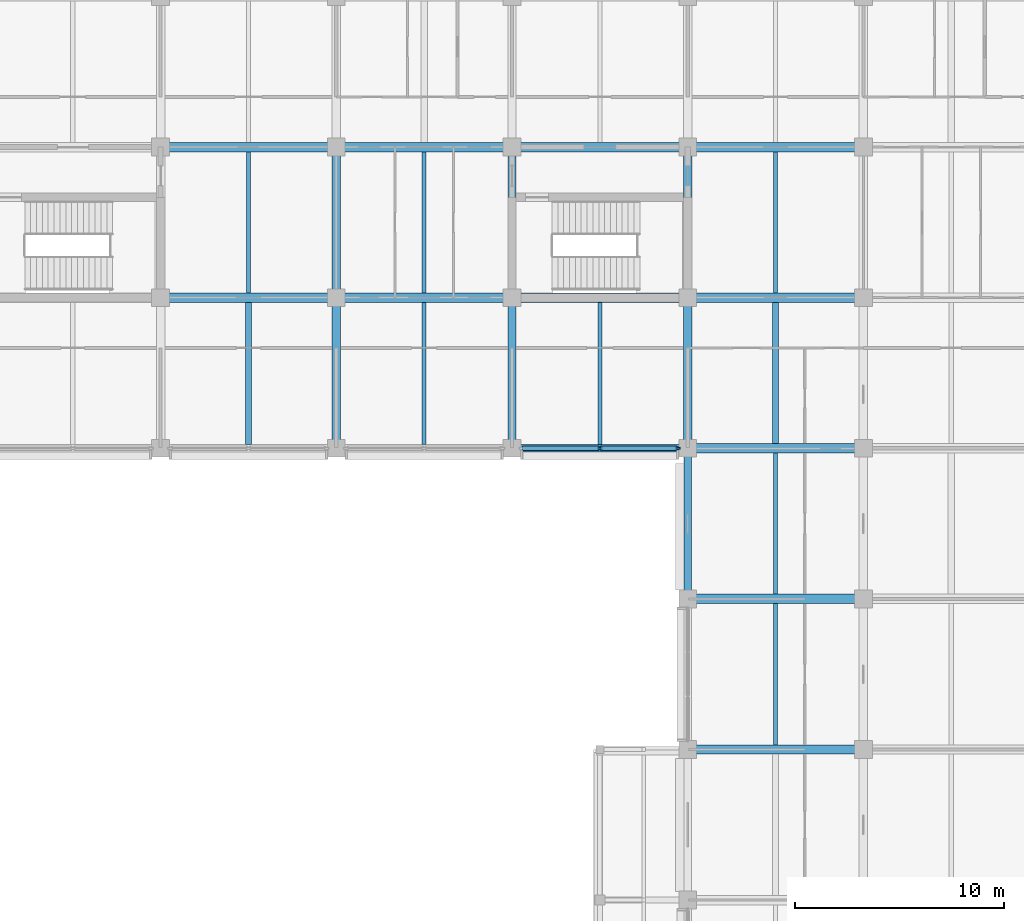
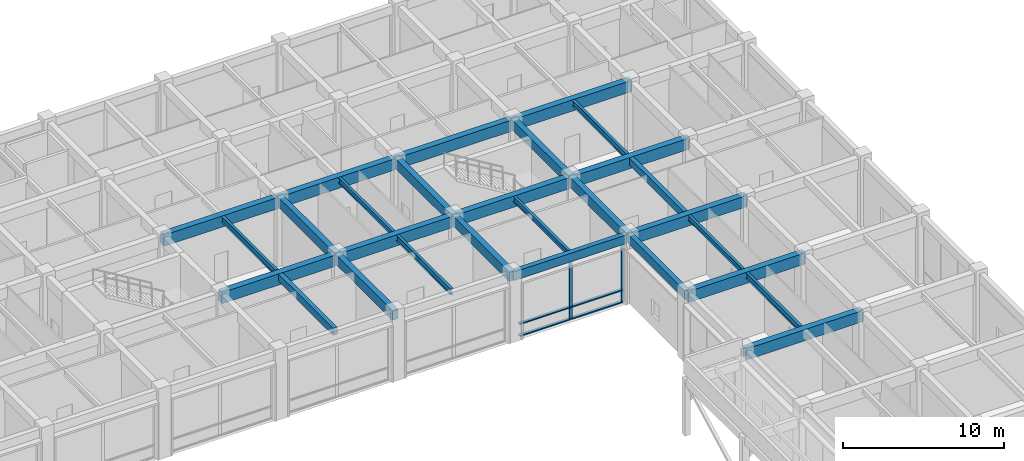
# One storey, part 26 of 68: 28 beams, 8 members, 1 element without a shape of its own.
"""IFC4 building model written with IfcOpenShell, lengths in metres."""

from ifc_helpers import new_model, si_unit, direction, frame, origin, origin_2d, place, context, subcontext, project, spatial, rectangle, i_section, extrude, material, layer, layer_set, material_profile, profile_set, type_object, element, aggregate, save


model = new_model("IFC4")

# Units and contexts
model_context = context("Model", 3, precision=1e-05, world=origin(), true_north=direction((0.0, 1.0)))
body_context = subcontext(model_context, "Body", "Model", "MODEL_VIEW")
ifc_project = project(units=[si_unit("LENGTHUNIT", "METRE"), si_unit("AREAUNIT", "SQUARE_METRE"), si_unit("VOLUMEUNIT", "CUBIC_METRE"), si_unit("PLANEANGLEUNIT", "RADIAN"), si_unit("MASSUNIT", "GRAM", prefix="KILO")], contexts=[model_context])

# Site, building, storey
site_placement = place(None, origin())
site = spatial("IfcSite", under=ifc_project, at=site_placement, CompositionType="ELEMENT")
building_placement = place(site_placement, origin())
building = spatial("IfcBuilding", under=site, at=building_placement, Name="Chengyuan Square Courthouse", CompositionType="ELEMENT")
storey_placement = place(building_placement, frame((0.0, 0.0, 5.39990234375)))
storey = spatial("IfcBuildingStorey", under=building, at=storey_placement, Name="L02", CompositionType="ELEMENT", Elevation=5.39990234375)

# Beams
ifc_material_1 = material(Name="Concrete C40", Category="concrete")
ifc_material_profile_1 = material_profile(ifc_material_1, rectangle(XDim=0.449951171875, YDim=0.85009765625, at=origin_2d()), Name="RC-BM-450x850")
ifc_profile_set_1 = profile_set([ifc_material_profile_1], Name="Concrete C40")
beam_type_1 = type_object("IfcBeamType", Name="BM-01", PredefinedType="USERDEFINED", material=ifc_profile_set_1)
for number, where, z_axis, x_axis, name in (
    (1, (151.199951171875, 64.800048828125, 4.695068359375), (1.0, 0.0, 0.0), (0.0, 1.0, 0.0), "Girder BM-L02-2113"),
    (2, (151.199951171875, 72.0, 4.695068359375), (1.0, 0.0, 0.0), (0.0, 1.0, 0.0), "Girder BM-L02-2117"),
    (3, (151.199951171875, 79.199951171875, 4.695068359375), (1.0, 0.0, 0.0), (0.0, 1.0, 0.0), "Girder BM-L02-2137"),
):
    element("IfcBeam", number, at=place(storey_placement, frame(where, z_axis=z_axis, x_axis=x_axis)), inside=storey, type_object=beam_type_1, Name=name, ObjectType="GIRDER", PredefinedType="USERDEFINED", context=body_context, shape_type="SweptSolid", body=[
        extrude(rectangle(XDim=0.449951171875, YDim=0.85009765625, at=origin_2d()), origin(), (0.0, 0.0, 1.0), 8.400146484375),
    ])
beam_1_placement = place(storey_placement, frame((126.0, 86.39990234375, 4.695068359375), z_axis=(1.0, 0.0, 0.0), x_axis=(0.0, 1.0, 0.0)))
element("IfcBeam", 4, at=beam_1_placement, inside=storey, type_object=beam_type_1, Name="Girder BM-L02-2154", ObjectType="GIRDER", PredefinedType="USERDEFINED", context=body_context, shape_type="SweptSolid", body=[
    extrude(rectangle(XDim=0.449951171875, YDim=0.85009765625, at=origin_2d()), origin(), (0.0, 0.0, 1.0), 8.39990234375),
])
beam_2_placement = place(storey_placement, frame((134.39990234375, 86.39990234375, 4.695068359375), z_axis=(1.0, 0.0, 0.0), x_axis=(0.0, 1.0, 0.0)))
element("IfcBeam", 5, at=beam_2_placement, inside=storey, type_object=beam_type_1, Name="Girder BM-L02-2155", ObjectType="GIRDER", PredefinedType="USERDEFINED", context=body_context, shape_type="SweptSolid", body=[
    extrude(rectangle(XDim=0.449951171875, YDim=0.85009765625, at=origin_2d()), origin(), (0.0, 0.0, 1.0), 8.400146484375),
])
beam_3_placement = place(storey_placement, frame((142.800048828125, 86.39990234375, 4.695068359375), z_axis=(1.0, 0.0, 0.0), x_axis=(0.0, 1.0, 0.0)))
element("IfcBeam", 6, at=beam_3_placement, inside=storey, type_object=beam_type_1, Name="Girder BM-L02-2156", ObjectType="GIRDER", PredefinedType="USERDEFINED", context=body_context, shape_type="SweptSolid", body=[
    extrude(rectangle(XDim=0.449951171875, YDim=0.85009765625, at=origin_2d()), origin(), (0.0, 0.0, 1.0), 8.39990234375),
])
beam_4_placement = place(storey_placement, frame((151.199951171875, 86.39990234375, 4.695068359375), z_axis=(1.0, 0.0, 0.0), x_axis=(0.0, 1.0, 0.0)))
element("IfcBeam", 7, at=beam_4_placement, inside=storey, type_object=beam_type_1, Name="Girder BM-L02-2157", ObjectType="GIRDER", PredefinedType="USERDEFINED", context=body_context, shape_type="SweptSolid", body=[
    extrude(rectangle(XDim=0.449951171875, YDim=0.85009765625, at=origin_2d()), origin(), (0.0, 0.0, 1.0), 8.400146484375),
])
beam_5_placement = place(storey_placement, frame((126.0, 93.60009765625, 4.695068359375), z_axis=(1.0, 0.0, 0.0), x_axis=(0.0, 1.0, 0.0)))
element("IfcBeam", 8, at=beam_5_placement, inside=storey, type_object=beam_type_1, Name="Girder BM-L02-2174", ObjectType="GIRDER", PredefinedType="USERDEFINED", context=body_context, shape_type="SweptSolid", body=[
    extrude(rectangle(XDim=0.449951171875, YDim=0.85009765625, at=origin_2d()), origin(), (0.0, 0.0, 1.0), 8.39990234375),
])
beam_6_placement = place(storey_placement, frame((134.39990234375, 93.60009765625, 4.695068359375), z_axis=(1.0, 0.0, 0.0), x_axis=(0.0, 1.0, 0.0)))
element("IfcBeam", 9, at=beam_6_placement, inside=storey, type_object=beam_type_1, Name="Girder BM-L02-2175", ObjectType="GIRDER", PredefinedType="USERDEFINED", context=body_context, shape_type="SweptSolid", body=[
    extrude(rectangle(XDim=0.449951171875, YDim=0.85009765625, at=origin_2d()), origin(), (0.0, 0.0, 1.0), 8.400146484375),
])
beam_7_placement = place(storey_placement, frame((142.800048828125, 93.60009765625, 4.695068359375), z_axis=(1.0, 0.0, 0.0), x_axis=(0.0, 1.0, 0.0)))
element("IfcBeam", 10, at=beam_7_placement, inside=storey, type_object=beam_type_1, Name="Girder BM-L02-2176", ObjectType="GIRDER", PredefinedType="USERDEFINED", context=body_context, shape_type="SweptSolid", body=[
    extrude(rectangle(XDim=0.449951171875, YDim=0.85009765625, at=origin_2d()), origin(), (0.0, 0.0, 1.0), 8.39990234375),
])
beam_8_placement = place(storey_placement, frame((151.199951171875, 93.60009765625, 4.695068359375), z_axis=(1.0, 0.0, 0.0), x_axis=(0.0, 1.0, 0.0)))
element("IfcBeam", 11, at=beam_8_placement, inside=storey, type_object=beam_type_1, Name="Girder BM-L02-2177", ObjectType="GIRDER", PredefinedType="USERDEFINED", context=body_context, shape_type="SweptSolid", body=[
    extrude(rectangle(XDim=0.449951171875, YDim=0.85009765625, at=origin_2d()), origin(), (0.0, 0.0, 1.0), 8.400146484375),
])
ifc_material_profile_2 = material_profile(ifc_material_1, rectangle(XDim=0.39990234375, YDim=0.75, at=origin_2d()), Name="RC-BM-400x750")
ifc_profile_set_2 = profile_set([ifc_material_profile_2], Name="Concrete C40")
beam_type_2 = type_object("IfcBeamType", Name="BM-02", PredefinedType="USERDEFINED", material=ifc_profile_set_2)
beam_9_placement = place(storey_placement, frame((134.39990234375, 79.199951171875, 4.7451171875), z_axis=(0.0, 1.0, 0.0), x_axis=(-1.0, 0.0, 0.0)))
element("IfcBeam", 12, at=beam_9_placement, inside=storey, type_object=beam_type_2, Name="Girder BM-L02-2337", ObjectType="GIRDER", PredefinedType="USERDEFINED", context=body_context, shape_type="SweptSolid", body=[
    extrude(rectangle(XDim=0.39990234375, YDim=0.75, at=origin_2d()), origin(), (0.0, 0.0, 1.0), 7.199951171875),
])
beam_10_placement = place(storey_placement, frame((134.39990234375, 86.39990234375, 4.7451171875), z_axis=(0.0, 1.0, 0.0), x_axis=(-1.0, 0.0, 0.0)))
element("IfcBeam", 13, at=beam_10_placement, inside=storey, type_object=beam_type_2, Name="Girder BM-L02-2338", ObjectType="GIRDER", PredefinedType="USERDEFINED", context=body_context, shape_type="SweptSolid", body=[
    extrude(rectangle(XDim=0.39990234375, YDim=0.75, at=origin_2d()), origin(), (0.0, 0.0, 1.0), 7.2001953125),
])
beam_11_placement = place(storey_placement, frame((142.800048828125, 79.199951171875, 4.7451171875), z_axis=(0.0, 1.0, 0.0), x_axis=(-1.0, 0.0, 0.0)))
element("IfcBeam", 14, at=beam_11_placement, inside=storey, type_object=beam_type_2, Name="Girder BM-L02-2341", ObjectType="GIRDER", PredefinedType="USERDEFINED", context=body_context, shape_type="SweptSolid", body=[
    extrude(rectangle(XDim=0.39990234375, YDim=0.75, at=origin_2d()), origin(), (0.0, 0.0, 1.0), 7.199951171875),
])
beam_12_placement = place(storey_placement, frame((142.800048828125, 86.39990234375, 4.7451171875), z_axis=(0.0, 1.0, 0.0), x_axis=(-1.0, 0.0, 0.0)))
element("IfcBeam", 15, at=beam_12_placement, inside=storey, type_object=beam_type_2, Name="Girder BM-L02-2342", ObjectType="GIRDER", PredefinedType="USERDEFINED", context=body_context, shape_type="SweptSolid", body=[
    extrude(rectangle(XDim=0.39990234375, YDim=0.75, at=origin_2d()), origin(), (0.0, 0.0, 1.0), 7.2001953125),
])
beam_13_placement = place(storey_placement, frame((151.199951171875, 79.199951171875, 4.7451171875), z_axis=(0.0, 1.0, 0.0), x_axis=(-1.0, 0.0, 0.0)))
element("IfcBeam", 16, at=beam_13_placement, inside=storey, type_object=beam_type_2, Name="Girder BM-L02-2356", ObjectType="GIRDER", PredefinedType="USERDEFINED", context=body_context, shape_type="SweptSolid", body=[
    extrude(rectangle(XDim=0.39990234375, YDim=0.75, at=origin_2d()), origin(), (0.0, 0.0, 1.0), 7.199951171875),
])
beam_14_placement = place(storey_placement, frame((151.199951171875, 86.39990234375, 4.7451171875), z_axis=(0.0, 1.0, 0.0), x_axis=(-1.0, 0.0, 0.0)))
element("IfcBeam", 17, at=beam_14_placement, inside=storey, type_object=beam_type_2, Name="Girder BM-L02-2357", ObjectType="GIRDER", PredefinedType="USERDEFINED", context=body_context, shape_type="SweptSolid", body=[
    extrude(rectangle(XDim=0.39990234375, YDim=0.75, at=origin_2d()), origin(), (0.0, 0.0, 1.0), 7.2001953125),
])
ifc_material_profile_3 = material_profile(ifc_material_1, rectangle(XDim=0.35009765625, YDim=0.64990234375, at=origin_2d()), Name="RC-BM-350x650")
ifc_profile_set_3 = profile_set([ifc_material_profile_3], Name="Concrete C40")
beam_type_3 = type_object("IfcBeamType", Name="BM-03", PredefinedType="SPANDREL", material=ifc_profile_set_3)
beam_15_placement = place(storey_placement, frame((142.800048828125, 79.199951171875, 4.795166015625), z_axis=(1.0, 0.0, 0.0), x_axis=(0.0, 1.0, 0.0)))
element("IfcBeam", 18, at=beam_15_placement, inside=storey, type_object=beam_type_3, Name="Girder BM-L02-2136", PredefinedType="SPANDREL", context=body_context, shape_type="SweptSolid", body=[
    extrude(rectangle(XDim=0.35009765625, YDim=0.64990234375, at=origin_2d()), origin(), (0.0, 0.0, 1.0), 8.39990234375),
])
beam_16_placement = place(storey_placement, frame((151.199951171875, 72.0, 4.795166015625), z_axis=(0.0, 1.0, 0.0), x_axis=(-1.0, 0.0, 0.0)))
element("IfcBeam", 19, at=beam_16_placement, inside=storey, type_object=beam_type_3, Name="Girder BM-L02-2355", PredefinedType="SPANDREL", context=body_context, shape_type="SweptSolid", body=[
    extrude(rectangle(XDim=0.35009765625, YDim=0.64990234375, at=origin_2d()), origin(), (0.0, 0.0, 1.0), 7.199951171875),
])
ifc_material_profile_4 = material_profile(ifc_material_1, rectangle(XDim=0.300048828125, YDim=0.550048828125, at=origin_2d()), Name="RC-BM-300x550")
ifc_profile_set_4 = profile_set([ifc_material_profile_4], Name="Concrete C40")
beam_type_4 = type_object("IfcBeamType", Name="BM-04", PredefinedType="BEAM", material=ifc_profile_set_4)
beam_17_placement = place(storey_placement, frame((130.199951171875, 79.375, 4.84521484375), z_axis=(0.0, 1.0, 0.0), x_axis=(-1.0, 0.0, 0.0)))
element("IfcBeam", 20, at=beam_17_placement, inside=storey, type_object=beam_type_4, Name="Secondary Floor Beam SBM-L02-2468", PredefinedType="BEAM", context=body_context, shape_type="SweptSolid", body=[
    extrude(rectangle(XDim=0.300048828125, YDim=0.550048828125, at=origin_2d()), origin(), (0.0, 0.0, 1.0), 6.800048828125),
])
beam_18_placement = place(storey_placement, frame((155.39990234375, 79.425048828125, 4.84521484375), z_axis=(0.0, 1.0, 0.0), x_axis=(-1.0, 0.0, 0.0)))
element("IfcBeam", 21, at=beam_18_placement, inside=storey, type_object=beam_type_4, Name="Secondary Floor Beam SBM-L02-2489", PredefinedType="BEAM", context=body_context, shape_type="SweptSolid", body=[
    extrude(rectangle(XDim=0.300048828125, YDim=0.550048828125, at=origin_2d()), origin(), (0.0, 0.0, 1.0), 6.75),
])
ifc_material_2 = material(Name="Steel Q355B", Category="steel")
ifc_material_profile_5 = material_profile(ifc_material_2, i_section(OverallWidth=0.199951171875, OverallDepth=0.449951171875, WebThickness=0.009033203125, FlangeThickness=0.013916015625, at=origin_2d()), Name="HN 450x200x9x14")
ifc_profile_set_5 = profile_set([ifc_material_profile_5], Name="Steel Q355B")
beam_type_5 = type_object("IfcBeamType", Name="BM-06", PredefinedType="BEAM", material=ifc_profile_set_5)
beam_19_placement = place(storey_placement, frame((130.199951171875, 86.625, 4.89501953125), z_axis=(0.0, 1.0, 0.0), x_axis=(-1.0, 0.0, 0.0)))
element("IfcBeam", 22, at=beam_19_placement, inside=storey, type_object=beam_type_5, Name="Secondary Floor Beam SBM-L02-2469", PredefinedType="BEAM", context=body_context, shape_type="SweptSolid", body=[
    extrude(i_section(OverallWidth=0.199951171875, OverallDepth=0.449951171875, WebThickness=0.009033203125, FlangeThickness=0.013916015625, at=origin_2d()), origin(), (0.0, 0.0, 1.0), 6.75),
])
beam_20_placement = place(storey_placement, frame((138.60009765625, 79.375, 4.89501953125), z_axis=(0.0, 1.0, 0.0), x_axis=(-1.0, 0.0, 0.0)))
element("IfcBeam", 23, at=beam_20_placement, inside=storey, type_object=beam_type_5, Name="Secondary Floor Beam SBM-L02-2472", PredefinedType="BEAM", context=body_context, shape_type="SweptSolid", body=[
    extrude(i_section(OverallWidth=0.199951171875, OverallDepth=0.449951171875, WebThickness=0.009033203125, FlangeThickness=0.013916015625, at=origin_2d()), origin(), (0.0, 0.0, 1.0), 6.800048828125),
])
for number, where, z_axis, x_axis, name in (
    (24, (155.39990234375, 65.02490234375, 4.89501953125), (0.0, 1.0, 0.0), (-1.0, 0.0, 0.0), "Secondary Floor Beam SBM-L02-2487"),
    (25, (155.39990234375, 86.625, 4.89501953125), (0.0, 1.0, 0.0), (-1.0, 0.0, 0.0), "Secondary Floor Beam SBM-L02-2490"),
):
    element("IfcBeam", number, at=place(storey_placement, frame(where, z_axis=z_axis, x_axis=x_axis)), inside=storey, type_object=beam_type_5, Name=name, PredefinedType="BEAM", context=body_context, shape_type="SweptSolid", body=[
        extrude(i_section(OverallWidth=0.199951171875, OverallDepth=0.449951171875, WebThickness=0.009033203125, FlangeThickness=0.013916015625, at=origin_2d()), origin(), (0.0, 0.0, 1.0), 6.75),
    ])
ifc_material_profile_6 = material_profile(ifc_material_2, i_section(OverallWidth=0.199951171875, OverallDepth=0.39990234375, WebThickness=0.008056640625, FlangeThickness=0.012939453125, at=origin_2d()), Name="HN 400x200x8x13")
ifc_profile_set_6 = profile_set([ifc_material_profile_6], Name="Steel Q355B")
beam_type_6 = type_object("IfcBeamType", Name="BM-07", PredefinedType="BEAM", material=ifc_profile_set_6)
beam_21_placement = place(storey_placement, frame((138.60009765625, 86.625, 4.920166015625), z_axis=(0.0, 1.0, 0.0), x_axis=(-1.0, 0.0, 0.0)))
element("IfcBeam", 26, at=beam_21_placement, inside=storey, type_object=beam_type_6, Name="Secondary Floor Beam SBM-L02-2473", PredefinedType="BEAM", context=body_context, shape_type="SweptSolid", body=[
    extrude(i_section(OverallWidth=0.199951171875, OverallDepth=0.39990234375, WebThickness=0.008056640625, FlangeThickness=0.012939453125, at=origin_2d()), origin(), (0.0, 0.0, 1.0), 6.75),
])
beam_22_placement = place(storey_placement, frame((147.0, 79.375, 4.920166015625), z_axis=(0.0, 1.0, 0.0), x_axis=(-1.0, 0.0, 0.0)))
element("IfcBeam", 27, at=beam_22_placement, inside=storey, type_object=beam_type_6, Name="Secondary Floor Beam SBM-L02-2476", PredefinedType="BEAM", context=body_context, shape_type="SweptSolid", body=[
    extrude(i_section(OverallWidth=0.199951171875, OverallDepth=0.39990234375, WebThickness=0.008056640625, FlangeThickness=0.012939453125, at=origin_2d()), origin(), (0.0, 0.0, 1.0), 6.800048828125),
])
beam_23_placement = place(storey_placement, frame((155.39990234375, 72.22509765625, 4.920166015625), z_axis=(0.0, 1.0, 0.0), x_axis=(-1.0, 0.0, 0.0)))
element("IfcBeam", 28, at=beam_23_placement, inside=storey, type_object=beam_type_6, Name="Secondary Floor Beam SBM-L02-2488", PredefinedType="BEAM", context=body_context, shape_type="SweptSolid", body=[
    extrude(i_section(OverallWidth=0.199951171875, OverallDepth=0.39990234375, WebThickness=0.008056640625, FlangeThickness=0.012939453125, at=origin_2d()), origin(), (0.0, 0.0, 1.0), 6.75),
])

# Curtain wall, members
ifc_material_3 = material(Name="Unitised Aluminium and Triple Low-E Glass", Category="aluminium")
ifc_layer = layer(ifc_material_3, 0.219970703125)
ifc_layer_set = layer_set([ifc_layer], Name="Unitised Aluminium and Triple Low-E Glass")
curtain_wall_type = type_object("IfcCurtainWallType", Name="CW-04", PredefinedType="USERDEFINED", material=ifc_layer_set)
curtain_wall_placement = place(storey_placement, origin())
curtain_wall = element("IfcCurtainWall", 29, at=curtain_wall_placement, inside=storey, type_object=curtain_wall_type, Name="Unitised Curtain Wall CW-L02-075", ObjectType="UNITISED CURTAIN WALL", PredefinedType="USERDEFINED")
ifc_material_4 = material(Name="Aluminium 6063-T6 Frame", Category="aluminium")
ifc_material_profile_7 = material_profile(ifc_material_4, rectangle(XDim=0.080078125, YDim=0.219970703125, at=origin_2d()), Name="CW-MUL-80x220")
ifc_profile_set_7 = profile_set([ifc_material_profile_7], Name="Aluminium 6063-T6 Frame")
member_type_1 = type_object("IfcMemberType", Name="CWM-04", PredefinedType="MULLION", material=ifc_profile_set_7)
member_1_placement = place(storey_placement, frame((147.0, 79.199951171875, 0.0), z_axis=(0.0, 0.0, 1.0), x_axis=(0.0, 1.0, 0.0)))
member_1 = element("IfcMember", 30, at=member_1_placement, type_object=member_type_1, Name="CW-04 mullion 2", PredefinedType="MULLION", context=body_context, shape_type="SweptSolid", body=[
    extrude(rectangle(XDim=0.080078125, YDim=0.219970703125, at=origin_2d()), origin(), (0.0, 0.0, 1.0), 4.47021484375),
])
member_2_placement = place(storey_placement, frame((150.735107421875, 79.199951171875, 0.0), z_axis=(0.0, 0.0, 1.0), x_axis=(0.0, 1.0, 0.0)))
member_2 = element("IfcMember", 31, at=member_2_placement, type_object=member_type_1, Name="CW-04 mullion 3", PredefinedType="MULLION", context=body_context, shape_type="SweptSolid", body=[
    extrude(rectangle(XDim=0.080078125, YDim=0.219970703125, at=origin_2d()), origin(), (0.0, 0.0, 1.0), 4.47021484375),
])
ifc_material_profile_8 = material_profile(ifc_material_4, rectangle(XDim=0.219970703125, YDim=0.080078125, at=origin_2d()), Name="CW-TRN-80x180")
ifc_profile_set_8 = profile_set([ifc_material_profile_8], Name="Aluminium 6063-T6 Frame")
member_type_2 = type_object("IfcMemberType", Name="CWT-04", PredefinedType="USERDEFINED", material=ifc_profile_set_8)
member_3_placement = place(storey_placement, frame((143.304931640625, 79.199951171875, 0.0400390625), z_axis=(1.0, 0.0, 0.0), x_axis=(0.0, 1.0, 0.0)))
member_3 = element("IfcMember", 32, at=member_3_placement, type_object=member_type_2, Name="CW-04 transom 1.1", ObjectType="TRANSOM", PredefinedType="USERDEFINED", context=body_context, shape_type="SweptSolid", body=[
    extrude(rectangle(XDim=0.219970703125, YDim=0.080078125, at=origin_2d()), origin(), (0.0, 0.0, 1.0), 3.655029296875),
])
member_4_placement = place(storey_placement, frame((143.304931640625, 79.199951171875, 0.9501953125), z_axis=(1.0, 0.0, 0.0), x_axis=(0.0, 1.0, 0.0)))
member_4 = element("IfcMember", 33, at=member_4_placement, type_object=member_type_2, Name="CW-04 transom 1.2", ObjectType="TRANSOM", PredefinedType="USERDEFINED", context=body_context, shape_type="SweptSolid", body=[
    extrude(rectangle(XDim=0.219970703125, YDim=0.080078125, at=origin_2d()), origin(), (0.0, 0.0, 1.0), 3.655029296875),
])
member_5_placement = place(storey_placement, frame((143.304931640625, 79.199951171875, 4.43017578125), z_axis=(1.0, 0.0, 0.0), x_axis=(0.0, 1.0, 0.0)))
member_5 = element("IfcMember", 34, at=member_5_placement, type_object=member_type_2, Name="CW-04 transom 1.3", ObjectType="TRANSOM", PredefinedType="USERDEFINED", context=body_context, shape_type="SweptSolid", body=[
    extrude(rectangle(XDim=0.219970703125, YDim=0.080078125, at=origin_2d()), origin(), (0.0, 0.0, 1.0), 3.655029296875),
])
member_6_placement = place(storey_placement, frame((147.0400390625, 79.199951171875, 0.0400390625), z_axis=(1.0, 0.0, 0.0), x_axis=(0.0, 1.0, 0.0)))
member_6 = element("IfcMember", 35, at=member_6_placement, type_object=member_type_2, Name="CW-04 transom 2.1", ObjectType="TRANSOM", PredefinedType="USERDEFINED", context=body_context, shape_type="SweptSolid", body=[
    extrude(rectangle(XDim=0.219970703125, YDim=0.080078125, at=origin_2d()), origin(), (0.0, 0.0, 1.0), 3.655029296875),
])
member_7_placement = place(storey_placement, frame((147.0400390625, 79.199951171875, 0.9501953125), z_axis=(1.0, 0.0, 0.0), x_axis=(0.0, 1.0, 0.0)))
member_7 = element("IfcMember", 36, at=member_7_placement, type_object=member_type_2, Name="CW-04 transom 2.2", ObjectType="TRANSOM", PredefinedType="USERDEFINED", context=body_context, shape_type="SweptSolid", body=[
    extrude(rectangle(XDim=0.219970703125, YDim=0.080078125, at=origin_2d()), origin(), (0.0, 0.0, 1.0), 3.655029296875),
])
member_8_placement = place(storey_placement, frame((147.0400390625, 79.199951171875, 4.43017578125), z_axis=(1.0, 0.0, 0.0), x_axis=(0.0, 1.0, 0.0)))
member_8 = element("IfcMember", 37, at=member_8_placement, type_object=member_type_2, Name="CW-04 transom 2.3", ObjectType="TRANSOM", PredefinedType="USERDEFINED", context=body_context, shape_type="SweptSolid", body=[
    extrude(rectangle(XDim=0.219970703125, YDim=0.080078125, at=origin_2d()), origin(), (0.0, 0.0, 1.0), 3.655029296875),
])
aggregate(curtain_wall, [member_1, member_2, member_3, member_4, member_5, member_6, member_7, member_8])

save(model, "model.ifc")
